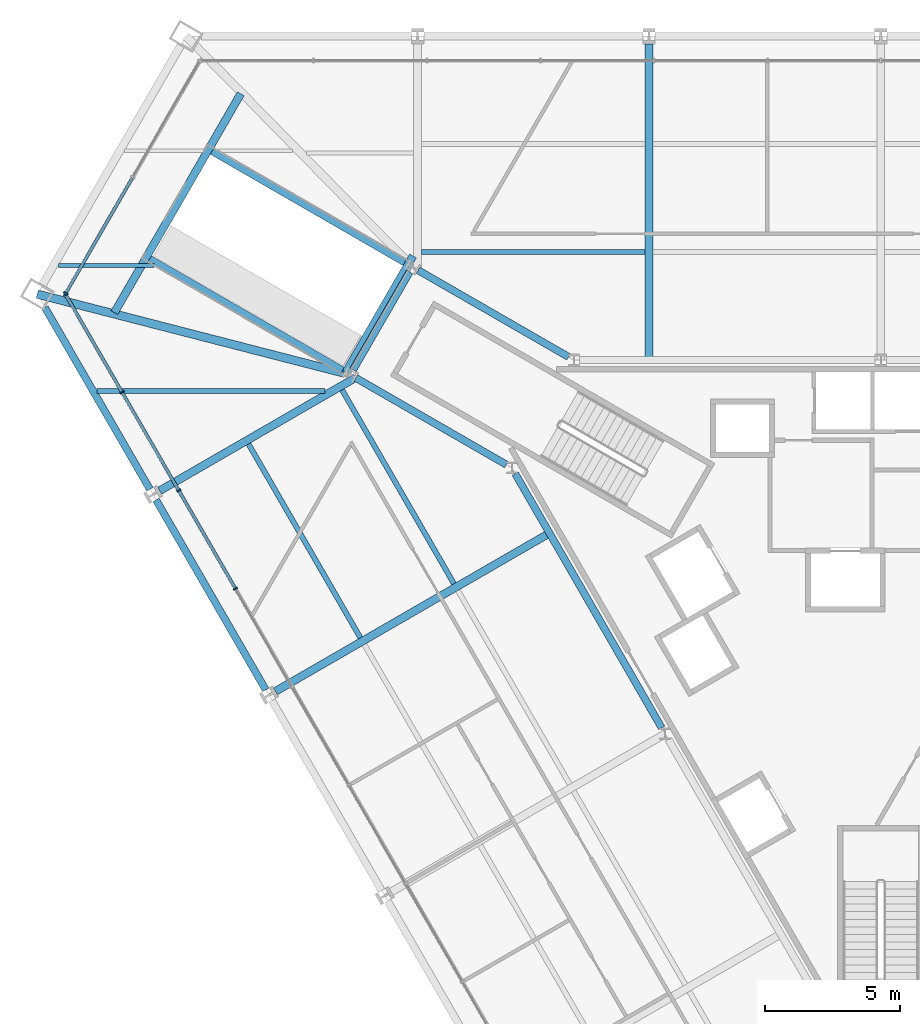
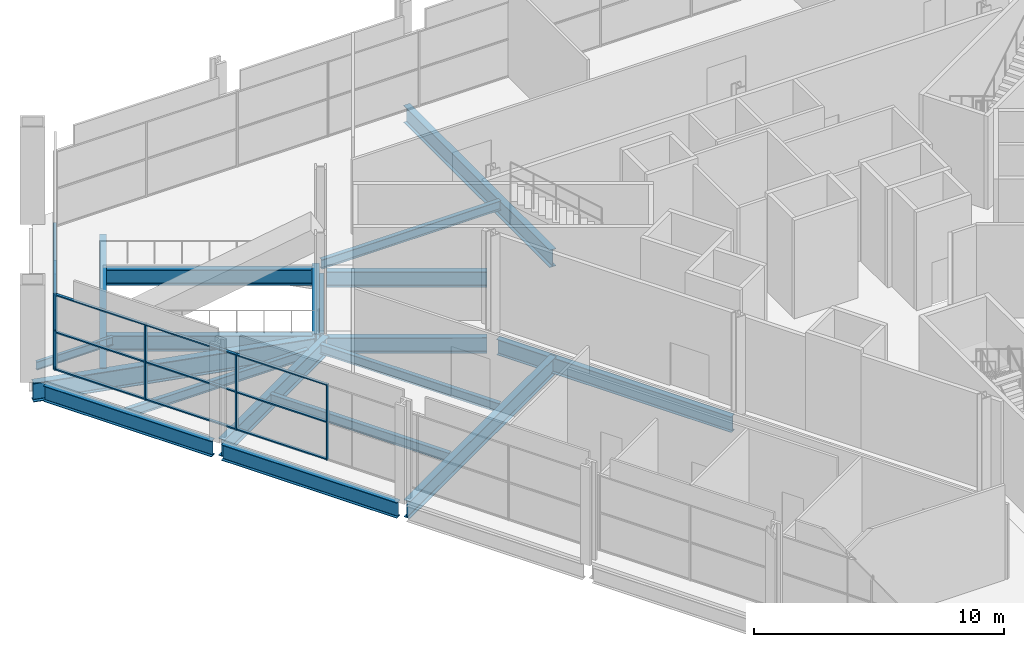
# One storey, part 6 of 18: 19 beams, 17 members, 2 elements without a shape of their own.
"""IFC4 building model written with IfcOpenShell, lengths in metres."""

from ifc_helpers import new_model, si_unit, direction, frame, origin, origin_2d, place, context, subcontext, project, spatial, rectangle, i_section, extrude, material, layer, layer_set, material_profile, profile_set, type_object, element, aggregate, save


model = new_model("IFC4")

# Units and contexts
model_context = context("Model", 3, precision=1e-05, world=origin(), true_north=direction((0.0, 1.0)))
body_context = subcontext(model_context, "Body", "Model", "MODEL_VIEW")
ifc_project = project(units=[si_unit("LENGTHUNIT", "METRE"), si_unit("AREAUNIT", "SQUARE_METRE"), si_unit("VOLUMEUNIT", "CUBIC_METRE"), si_unit("PLANEANGLEUNIT", "RADIAN"), si_unit("MASSUNIT", "GRAM", prefix="KILO")], contexts=[model_context])

# Site, building, storey
site_placement = place(None, origin())
site = spatial("IfcSite", under=ifc_project, at=site_placement, CompositionType="ELEMENT")
building_placement = place(site_placement, origin())
building = spatial("IfcBuilding", under=site, at=building_placement, Name="Verrane Prism Tower", CompositionType="ELEMENT")
storey_placement = place(building_placement, frame((0.0, 0.0, 27.199951171875)))
storey = spatial("IfcBuildingStorey", under=building, at=storey_placement, Name="L04", CompositionType="ELEMENT", Elevation=27.199951171875)

# Curtain wall, member
ifc_material_1 = material(Name="Aluminium and glass curtain wall", Category="aluminium")
ifc_layer = layer(ifc_material_1, 0.199951171875)
ifc_layer_set = layer_set([ifc_layer], Name="CWB-1 retail curtain wall")
curtain_wall_type = type_object("IfcCurtainWallType", Name="CWB-1 retail curtain wall", PredefinedType="NOTDEFINED", material=ifc_layer_set)
curtain_wall_1_placement = place(storey_placement, origin())
curtain_wall_1 = element("IfcCurtainWall", 1, at=curtain_wall_1_placement, inside=storey, type_object=curtain_wall_type, Name="Retail curtain wall L04 3", PredefinedType="NOTDEFINED")
ifc_material_2 = material(Name="Aluminium", Category="aluminium")
ifc_material_profile_1 = material_profile(ifc_material_2, rectangle(XDim=0.159912109375, YDim=0.06005859375, at=origin_2d()), Name="CWB-M 60x160 mullion")
ifc_profile_set_1 = profile_set([ifc_material_profile_1], Name="Aluminium")
member_type_1 = type_object("IfcMemberType", Name="CWB-M 60x160 mullion", PredefinedType="MULLION", material=ifc_profile_set_1)
member_1_placement = place(storey_placement, frame((-30.11328125, 11.669677734375, 0.0), z_axis=(0.0, 0.0, 1.0), x_axis=(0.866025871, -0.499999190758, 0.0)))
member_1 = element("IfcMember", 2, at=member_1_placement, type_object=member_type_1, Name="CWB43 mullion 3", PredefinedType="MULLION", context=body_context, shape_type="SweptSolid", body=[
    extrude(rectangle(XDim=0.159912109375, YDim=0.06005859375, at=origin_2d()), origin(), (0.0, 0.0, 1.0), 3.68994140625),
])

# Curtain wall, members
curtain_wall_2_placement = place(storey_placement, origin())
curtain_wall_2 = element("IfcCurtainWall", 3, at=curtain_wall_2_placement, inside=storey, type_object=curtain_wall_type, Name="Retail curtain wall L04 4", PredefinedType="NOTDEFINED")
member_2_placement = place(storey_placement, frame((-30.11328125, 11.61767578125, 0.0), z_axis=(0.0, 0.0, 1.0), x_axis=(0.866025335097, 0.50000011897, 0.0)))
member_2 = element("IfcMember", 4, at=member_2_placement, type_object=member_type_1, Name="CWB44 mullion 1", PredefinedType="MULLION", context=body_context, shape_type="SweptSolid", body=[
    extrude(rectangle(XDim=0.159912109375, YDim=0.06005859375, at=origin_2d()), origin(), (0.0, 0.0, 1.0), 3.68994140625),
])
member_3_placement = place(storey_placement, frame((-28.03271484375, 8.013916015625, 0.0), z_axis=(0.0, 0.0, 1.0), x_axis=(0.866025335097, 0.50000011897, 0.0)))
member_3 = element("IfcMember", 5, at=member_3_placement, type_object=member_type_1, Name="CWB44 mullion 2", PredefinedType="MULLION", context=body_context, shape_type="SweptSolid", body=[
    extrude(rectangle(XDim=0.159912109375, YDim=0.06005859375, at=origin_2d()), origin(), (0.0, 0.0, 1.0), 3.68994140625),
])
member_4_placement = place(storey_placement, frame((-25.93701171875, 4.384033203125, 0.0), z_axis=(0.0, 0.0, 1.0), x_axis=(0.866025335097, 0.50000011897, 0.0)))
member_4 = element("IfcMember", 6, at=member_4_placement, type_object=member_type_1, Name="CWB44 mullion 3", PredefinedType="MULLION", context=body_context, shape_type="SweptSolid", body=[
    extrude(rectangle(XDim=0.159912109375, YDim=0.06005859375, at=origin_2d()), origin(), (0.0, 0.0, 1.0), 3.68994140625),
])
member_5_placement = place(storey_placement, frame((-23.84130859375, 0.75439453125, 0.0), z_axis=(0.0, 0.0, 1.0), x_axis=(0.866025335097, 0.50000011897, 0.0)))
member_5 = element("IfcMember", 7, at=member_5_placement, type_object=member_type_1, Name="CWB44 mullion 4", PredefinedType="MULLION", context=body_context, shape_type="SweptSolid", body=[
    extrude(rectangle(XDim=0.159912109375, YDim=0.06005859375, at=origin_2d()), origin(), (0.0, 0.0, 1.0), 3.68994140625),
])

# Member
ifc_material_3 = material(Name="Aluminium", Category="aluminium")
ifc_material_profile_2 = material_profile(ifc_material_3, rectangle(XDim=0.1201171875, YDim=0.06005859375, at=origin_2d()), Name="CWB-T 60x120 transom")
ifc_profile_set_2 = profile_set([ifc_material_profile_2], Name="Aluminium")
member_type_2 = type_object("IfcMemberType", Name="CWB-T 60x120 transom", PredefinedType="USERDEFINED", material=ifc_profile_set_2)
member_6_placement = place(storey_placement, frame((-27.653076171875, 15.930908203125, 0.030029296875), z_axis=(-0.500004774777, -0.866022647048, 0.0), x_axis=(0.866022647048, -0.500004774777, 0.0)))
member_6 = element("IfcMember", 8, at=member_6_placement, type_object=member_type_2, Name="CWB43 transom 2.1", ObjectType="TRANSOM", PredefinedType="USERDEFINED", context=body_context, shape_type="SweptSolid", body=[
    extrude(rectangle(XDim=0.1201171875, YDim=0.06005859375, at=origin_2d()), origin(), (0.0, 0.0, 1.0), 4.890625),
])

member_7_placement = place(storey_placement, frame((-27.653076171875, 15.930908203125, 1.844970703125), z_axis=(-0.500004774777, -0.866022647048, 0.0), x_axis=(0.866022647048, -0.500004774777, 0.0)))
member_7 = element("IfcMember", 9, at=member_7_placement, type_object=member_type_2, Name="CWB43 transom 2.2", ObjectType="TRANSOM", PredefinedType="USERDEFINED", context=body_context, shape_type="SweptSolid", body=[
    extrude(rectangle(XDim=0.1201171875, YDim=0.06005859375, at=origin_2d()), origin(), (0.0, 0.0, 1.0), 4.890625),
])

member_8_placement = place(storey_placement, frame((-27.653076171875, 15.930908203125, 3.66015625), z_axis=(-0.500004774777, -0.866022647048, 0.0), x_axis=(0.866022647048, -0.500004774777, 0.0)))
member_8 = element("IfcMember", 10, at=member_8_placement, type_object=member_type_2, Name="CWB43 transom 2.3", ObjectType="TRANSOM", PredefinedType="USERDEFINED", context=body_context, shape_type="SweptSolid", body=[
    extrude(rectangle(XDim=0.1201171875, YDim=0.06005859375, at=origin_2d()), origin(), (0.0, 0.0, 1.0), 4.890625),
])

aggregate(curtain_wall_1, [member_1, member_6, member_7, member_8])

member_9_placement = place(storey_placement, frame((-30.098388671875, 11.591796875, 0.030029296875), z_axis=(0.500005845305, -0.86602202897, 0.0), x_axis=(0.86602202897, 0.500005845305, 0.0)))
member_9 = element("IfcMember", 11, at=member_9_placement, type_object=member_type_2, Name="CWB44 transom 1.1", ObjectType="TRANSOM", PredefinedType="USERDEFINED", context=body_context, shape_type="SweptSolid", body=[
    extrude(rectangle(XDim=0.1201171875, YDim=0.06005859375, at=origin_2d()), origin(), (0.0, 0.0, 1.0), 4.1015625),
])

member_10_placement = place(storey_placement, frame((-30.098388671875, 11.591796875, 1.844970703125), z_axis=(0.500005845305, -0.86602202897, 0.0), x_axis=(0.86602202897, 0.500005845305, 0.0)))
member_10 = element("IfcMember", 12, at=member_10_placement, type_object=member_type_2, Name="CWB44 transom 1.2", ObjectType="TRANSOM", PredefinedType="USERDEFINED", context=body_context, shape_type="SweptSolid", body=[
    extrude(rectangle(XDim=0.1201171875, YDim=0.06005859375, at=origin_2d()), origin(), (0.0, 0.0, 1.0), 4.1015625),
])

member_11_placement = place(storey_placement, frame((-30.098388671875, 11.591796875, 3.66015625), z_axis=(0.500005845305, -0.86602202897, 0.0), x_axis=(0.86602202897, 0.500005845305, 0.0)))
member_11 = element("IfcMember", 13, at=member_11_placement, type_object=member_type_2, Name="CWB44 transom 1.3", ObjectType="TRANSOM", PredefinedType="USERDEFINED", context=body_context, shape_type="SweptSolid", body=[
    extrude(rectangle(XDim=0.1201171875, YDim=0.06005859375, at=origin_2d()), origin(), (0.0, 0.0, 1.0), 4.1015625),
])

member_12_placement = place(storey_placement, frame((-28.017578125, 7.988037109375, 0.030029296875), z_axis=(0.499996977546, -0.866027148792, 0.0), x_axis=(0.866027148792, 0.499996977546, 0.0)))
member_12 = element("IfcMember", 14, at=member_12_placement, type_object=member_type_2, Name="CWB44 transom 2.1", ObjectType="TRANSOM", PredefinedType="USERDEFINED", context=body_context, shape_type="SweptSolid", body=[
    extrude(rectangle(XDim=0.1201171875, YDim=0.06005859375, at=origin_2d()), origin(), (0.0, 0.0, 1.0), 4.13134765625),
])

member_13_placement = place(storey_placement, frame((-28.017578125, 7.988037109375, 1.844970703125), z_axis=(0.499996977546, -0.866027148792, 0.0), x_axis=(0.866027148792, 0.499996977546, 0.0)))
member_13 = element("IfcMember", 15, at=member_13_placement, type_object=member_type_2, Name="CWB44 transom 2.2", ObjectType="TRANSOM", PredefinedType="USERDEFINED", context=body_context, shape_type="SweptSolid", body=[
    extrude(rectangle(XDim=0.1201171875, YDim=0.06005859375, at=origin_2d()), origin(), (0.0, 0.0, 1.0), 4.13134765625),
])

member_14_placement = place(storey_placement, frame((-28.017578125, 7.988037109375, 3.66015625), z_axis=(0.499996977546, -0.866027148792, 0.0), x_axis=(0.866027148792, 0.499996977546, 0.0)))
member_14 = element("IfcMember", 16, at=member_14_placement, type_object=member_type_2, Name="CWB44 transom 2.3", ObjectType="TRANSOM", PredefinedType="USERDEFINED", context=body_context, shape_type="SweptSolid", body=[
    extrude(rectangle(XDim=0.1201171875, YDim=0.06005859375, at=origin_2d()), origin(), (0.0, 0.0, 1.0), 4.13134765625),
])

member_15_placement = place(storey_placement, frame((-25.921875, 4.358154296875, 0.030029296875), z_axis=(0.499996977546, -0.866027148792, 0.0), x_axis=(0.866027148792, 0.499996977546, 0.0)))
member_15 = element("IfcMember", 17, at=member_15_placement, type_object=member_type_2, Name="CWB44 transom 3.1", ObjectType="TRANSOM", PredefinedType="USERDEFINED", context=body_context, shape_type="SweptSolid", body=[
    extrude(rectangle(XDim=0.1201171875, YDim=0.06005859375, at=origin_2d()), origin(), (0.0, 0.0, 1.0), 4.13134765625),
])

member_16_placement = place(storey_placement, frame((-25.921875, 4.358154296875, 1.844970703125), z_axis=(0.499996977546, -0.866027148792, 0.0), x_axis=(0.866027148792, 0.499996977546, 0.0)))
member_16 = element("IfcMember", 18, at=member_16_placement, type_object=member_type_2, Name="CWB44 transom 3.2", ObjectType="TRANSOM", PredefinedType="USERDEFINED", context=body_context, shape_type="SweptSolid", body=[
    extrude(rectangle(XDim=0.1201171875, YDim=0.06005859375, at=origin_2d()), origin(), (0.0, 0.0, 1.0), 4.13134765625),
])

member_17_placement = place(storey_placement, frame((-25.921875, 4.358154296875, 3.66015625), z_axis=(0.499996977546, -0.866027148792, 0.0), x_axis=(0.866027148792, 0.499996977546, 0.0)))
member_17 = element("IfcMember", 19, at=member_17_placement, type_object=member_type_2, Name="CWB44 transom 3.3", ObjectType="TRANSOM", PredefinedType="USERDEFINED", context=body_context, shape_type="SweptSolid", body=[
    extrude(rectangle(XDim=0.1201171875, YDim=0.06005859375, at=origin_2d()), origin(), (0.0, 0.0, 1.0), 4.13134765625),
])

aggregate(curtain_wall_2, [member_2, member_3, member_4, member_5, member_9, member_10, member_11, member_12, member_13, member_14, member_15, member_16, member_17])

# Beams
ifc_material_4 = material(Name="Steel A992", Category="steel")
ifc_material_profile_3 = material_profile(ifc_material_4, i_section(OverallWidth=0.2666015625, OverallDepth=0.76708984375, WebThickness=0.014892578125, FlangeThickness=0.023681640625, FilletRadius=0.0166015625, at=origin_2d()), Name="W30x124")
ifc_profile_set_3 = profile_set([ifc_material_profile_3], Name="Steel A992")
beam_type_1 = type_object("IfcBeamType", Name="Core ring girder W30x124", PredefinedType="BEAM", material=ifc_profile_set_3)
beam_1_placement = place(storey_placement, frame((-11.53564453125, 9.318603515625, -0.633544921875), z_axis=(-0.866455356291, 0.499254559873, 0.0), x_axis=(-0.499254559873, -0.866455356291, 0.0)))
element("IfcBeam", 20, at=beam_1_placement, inside=storey, type_object=beam_type_1, Name="Core ring girder L04", PredefinedType="BEAM", context=body_context, shape_type="SweptSolid", body=[
    extrude(i_section(OverallWidth=0.2666015625, OverallDepth=0.76708984375, WebThickness=0.014892578125, FlangeThickness=0.023681640625, FilletRadius=0.0166015625, at=origin_2d()), origin(), (0.0, 0.0, 1.0), 6.415283203125),
])
beam_2_placement = place(storey_placement, frame((-17.406005859375, 12.456298828125, -0.633544921875), z_axis=(-0.500367275473, -0.865813253326, 0.0), x_axis=(0.865813253326, -0.500367275473, 0.0)))
element("IfcBeam", 21, at=beam_2_placement, inside=storey, type_object=beam_type_1, Name="Core ring girder L04", PredefinedType="BEAM", context=body_context, shape_type="SweptSolid", body=[
    extrude(i_section(OverallWidth=0.2666015625, OverallDepth=0.76708984375, WebThickness=0.014892578125, FlangeThickness=0.023681640625, FilletRadius=0.0166015625, at=origin_2d()), origin(), (0.0, 0.0, 1.0), 4.172607421875),
])
beam_3_placement = place(storey_placement, frame((-19.394287109375, 8.54150390625, -0.633544921875), z_axis=(0.866455356291, -0.499254559873, 0.0), x_axis=(0.499254559873, 0.866455356291, 0.0)))
element("IfcBeam", 22, at=beam_3_placement, inside=storey, type_object=beam_type_1, Name="Core ring girder L04", PredefinedType="BEAM", context=body_context, shape_type="SweptSolid", body=[
    extrude(i_section(OverallWidth=0.2666015625, OverallDepth=0.76708984375, WebThickness=0.014892578125, FlangeThickness=0.023681640625, FilletRadius=0.0166015625, at=origin_2d()), origin(), (0.0, 0.0, 1.0), 6.415283203125),
])
beam_4_placement = place(storey_placement, frame((-13.5048828125, 5.002685546875, -0.633544921875), z_axis=(0.499373178085, -0.866386997253, 0.0), x_axis=(0.866386997253, 0.499373178085, 0.0)))
element("IfcBeam", 23, at=beam_4_placement, inside=storey, type_object=beam_type_1, Name="Core ring girder L04", PredefinedType="BEAM", context=body_context, shape_type="SweptSolid", body=[
    extrude(i_section(OverallWidth=0.2666015625, OverallDepth=0.76708984375, WebThickness=0.014892578125, FlangeThickness=0.023681640625, FilletRadius=0.0166015625, at=origin_2d()), origin(), (0.0, 0.0, 1.0), 10.8330078125),
])
ifc_material_5 = material(Name="Steel A992", Category="steel")
ifc_material_profile_4 = material_profile(ifc_material_5, i_section(OverallWidth=0.307373046875, OverallDepth=0.927001953125, WebThickness=0.01953125, FlangeThickness=0.031982421875, FilletRadius=0.01904296875, at=origin_2d()), Name="W36x194")
ifc_profile_set_4 = profile_set([ifc_material_profile_4], Name="Steel A992")
beam_type_2 = type_object("IfcBeamType", Name="Corner girder W36x194", PredefinedType="BEAM", material=ifc_profile_set_4)
beam_5_placement = place(storey_placement, frame((-31.16455078125, 11.638671875, -0.68359375), z_axis=(0.968392733058, -0.249430380188, 0.0), x_axis=(0.249430380188, 0.968392733058, 0.0)))
element("IfcBeam", 24, at=beam_5_placement, inside=storey, type_object=beam_type_2, Name="Corner girder L04", PredefinedType="BEAM", context=body_context, shape_type="SweptSolid", body=[
    extrude(i_section(OverallWidth=0.307373046875, OverallDepth=0.927001953125, WebThickness=0.01953125, FlangeThickness=0.031982421875, FilletRadius=0.01904296875, at=origin_2d()), origin(), (0.0, 0.0, 1.0), 11.695556640625),
])
ifc_material_6 = material(Name="Steel A992", Category="steel")
ifc_material_profile_5 = material_profile(ifc_material_6, i_section(OverallWidth=0.140380859375, OverallDepth=0.40380859375, WebThickness=0.007080078125, FlangeThickness=0.01123046875, FilletRadius=0.01025390625, at=origin_2d()), Name="W16x31")
ifc_profile_set_5 = profile_set([ifc_material_profile_5], Name="Steel A992")
beam_type_3 = type_object("IfcBeamType", Name="Floor beam W16x31", PredefinedType="BEAM", material=ifc_profile_set_5)
beam_6_placement = place(storey_placement, frame((-30.3896484375, 12.699951171875, -0.36181640625), z_axis=(1.0, 0.0, 0.0), x_axis=(0.0, 1.0, 0.0)))
element("IfcBeam", 25, at=beam_6_placement, inside=storey, type_object=beam_type_3, Name="Floor beam L04", PredefinedType="BEAM", context=body_context, shape_type="SweptSolid", body=[
    extrude(i_section(OverallWidth=0.140380859375, OverallDepth=0.40380859375, WebThickness=0.007080078125, FlangeThickness=0.01123046875, FilletRadius=0.01025390625, at=origin_2d()), origin(), (0.0, 0.0, 1.0), 3.529052734375),
])
ifc_material_7 = material(Name="Steel A992", Category="steel")
ifc_material_profile_6 = material_profile(ifc_material_7, i_section(OverallWidth=0.1904296875, OverallDepth=0.457275390625, WebThickness=0.009033203125, FlangeThickness=0.014404296875, FilletRadius=0.01025390625, at=origin_2d()), Name="W18x50")
ifc_profile_set_6 = profile_set([ifc_material_profile_6], Name="Steel A992")
beam_type_4 = type_object("IfcBeamType", Name="Floor beam W18x50", PredefinedType="BEAM", material=ifc_profile_set_6)
beam_7_placement = place(storey_placement, frame((-16.964111328125, 13.18994140625, -0.388671875), z_axis=(1.0, 0.0, 0.0), x_axis=(0.0, 1.0, 0.0)))
element("IfcBeam", 26, at=beam_7_placement, inside=storey, type_object=beam_type_4, Name="Floor beam L04", PredefinedType="BEAM", context=body_context, shape_type="SweptSolid", body=[
    extrude(i_section(OverallWidth=0.1904296875, OverallDepth=0.457275390625, WebThickness=0.009033203125, FlangeThickness=0.014404296875, FilletRadius=0.01025390625, at=origin_2d()), origin(), (0.0, 0.0, 1.0), 8.258056640625),
])
beam_8_placement = place(storey_placement, frame((-28.950927734375, 8.06494140625, -0.388671875), z_axis=(1.0, 0.0, 0.0), x_axis=(0.0, 1.0, 0.0)))
element("IfcBeam", 27, at=beam_8_placement, inside=storey, type_object=beam_type_4, Name="Floor beam L04", PredefinedType="BEAM", context=body_context, shape_type="SweptSolid", body=[
    extrude(i_section(OverallWidth=0.1904296875, OverallDepth=0.457275390625, WebThickness=0.009033203125, FlangeThickness=0.014404296875, FilletRadius=0.01025390625, at=origin_2d()), origin(), (0.0, 0.0, 1.0), 8.4091796875),
])
beam_9_placement = place(storey_placement, frame((-15.769287109375, 0.93994140625, -0.388671875), z_axis=(-0.500018214608, 0.86601488732, 0.0), x_axis=(-0.86601488732, -0.500018214608, 0.0)))
element("IfcBeam", 28, at=beam_9_placement, inside=storey, type_object=beam_type_4, Name="Floor beam L04", PredefinedType="BEAM", context=body_context, shape_type="SweptSolid", body=[
    extrude(i_section(OverallWidth=0.1904296875, OverallDepth=0.457275390625, WebThickness=0.009033203125, FlangeThickness=0.014404296875, FilletRadius=0.01025390625, at=origin_2d()), origin(), (0.0, 0.0, 1.0), 8.264892578125),
])
beam_10_placement = place(storey_placement, frame((-19.226806640625, -1.05712890625, -0.388671875), z_axis=(-0.500005423512, 0.866022272496, 0.0), x_axis=(-0.866022272496, -0.500005423512, 0.0)))
element("IfcBeam", 29, at=beam_10_placement, inside=storey, type_object=beam_type_4, Name="Floor beam L04", PredefinedType="BEAM", context=body_context, shape_type="SweptSolid", body=[
    extrude(i_section(OverallWidth=0.1904296875, OverallDepth=0.457275390625, WebThickness=0.009033203125, FlangeThickness=0.014404296875, FilletRadius=0.01025390625, at=origin_2d()), origin(), (0.0, 0.0, 1.0), 8.26513671875),
])
ifc_material_8 = material(Name="Steel A992", Category="steel")
ifc_material_profile_7 = material_profile(ifc_material_8, i_section(OverallWidth=0.2919921875, OverallDepth=0.845703125, WebThickness=0.015380859375, FlangeThickness=0.0244140625, FilletRadius=0.017822265625, at=origin_2d()), Name="W33x141")
ifc_profile_set_7 = profile_set([ifc_material_profile_7], Name="Steel A992")
beam_type_5 = type_object("IfcBeamType", Name="Radial girder W33x141", PredefinedType="BEAM", material=ifc_profile_set_7)
beam_11_placement = place(storey_placement, frame((-8.56005859375, 20.885498046875, -0.642822265625), z_axis=(0.0, -1.0, 0.0), x_axis=(1.0, 0.0, 0.0)))
element("IfcBeam", 30, at=beam_11_placement, inside=storey, type_object=beam_type_5, Name="Radial girder L04", PredefinedType="BEAM", context=body_context, shape_type="SweptSolid", body=[
    extrude(i_section(OverallWidth=0.2919921875, OverallDepth=0.845703125, WebThickness=0.015380859375, FlangeThickness=0.0244140625, FilletRadius=0.017822265625, at=origin_2d()), origin(), (0.0, 0.0, 1.0), 11.685546875),
])
beam_12_placement = place(storey_placement, frame((-26.6435546875, 4.372314453125, -0.642822265625), z_axis=(0.866029865125, 0.499992272651, 0.0), x_axis=(-0.499992272651, 0.866029865125, 0.0)))
element("IfcBeam", 31, at=beam_12_placement, inside=storey, type_object=beam_type_5, Name="Radial girder L04", PredefinedType="BEAM", context=body_context, shape_type="SweptSolid", body=[
    extrude(i_section(OverallWidth=0.2919921875, OverallDepth=0.845703125, WebThickness=0.015380859375, FlangeThickness=0.0244140625, FilletRadius=0.017822265625, at=origin_2d()), origin(), (0.0, 0.0, 1.0), 8.354736328125),
])
beam_13_placement = place(storey_placement, frame((-22.363525390625, -3.037841796875, -0.642822265625), z_axis=(0.86602143351, 0.500006876654, 0.0), x_axis=(-0.500006876654, 0.86602143351, 0.0)))
element("IfcBeam", 32, at=beam_13_placement, inside=storey, type_object=beam_type_5, Name="Radial girder L04", PredefinedType="BEAM", context=body_context, shape_type="SweptSolid", body=[
    extrude(i_section(OverallWidth=0.2919921875, OverallDepth=0.845703125, WebThickness=0.015380859375, FlangeThickness=0.0244140625, FilletRadius=0.017822265625, at=origin_2d()), origin(), (0.0, 0.0, 1.0), 11.690185546875),
])
ifc_material_9 = material(Name="Steel A992", Category="steel")
ifc_material_profile_8 = material_profile(ifc_material_9, i_section(OverallWidth=0.2666015625, OverallDepth=0.76708984375, WebThickness=0.014892578125, FlangeThickness=0.023681640625, FilletRadius=0.0166015625, at=origin_2d()), Name="W30x124")
ifc_profile_set_8 = profile_set([ifc_material_profile_8], Name="Steel A992")
beam_type_6 = type_object("IfcBeamType", Name="Slab edge girder W30x124", PredefinedType="BEAM", material=ifc_profile_set_8)
beam_14_placement = place(storey_placement, frame((-17.58203125, 12.806884765625, -0.54345703125), z_axis=(-0.866034923029, 0.499983511822, 0.0), x_axis=(-0.499983511822, -0.866034923029, 0.0)))
element("IfcBeam", 33, at=beam_14_placement, inside=storey, type_object=beam_type_6, Name="Slab edge girder L04", PredefinedType="BEAM", context=body_context, shape_type="SweptSolid", body=[
    extrude(i_section(OverallWidth=0.2666015625, OverallDepth=0.76708984375, WebThickness=0.014892578125, FlangeThickness=0.023681640625, FilletRadius=0.0166015625, at=origin_2d()), origin(), (0.0, 0.0, 1.0), 8.230224609375),
])
beam_15_placement = place(storey_placement, frame((-27.009521484375, 12.93798828125, -0.54345703125), z_axis=(0.86602750728, -0.499996356621, 0.0), x_axis=(0.499996356621, 0.86602750728, 0.0)))
element("IfcBeam", 34, at=beam_15_placement, inside=storey, type_object=beam_type_6, Name="Slab edge girder L04", PredefinedType="BEAM", context=body_context, shape_type="SweptSolid", body=[
    extrude(i_section(OverallWidth=0.2666015625, OverallDepth=0.76708984375, WebThickness=0.014892578125, FlangeThickness=0.023681640625, FilletRadius=0.0166015625, at=origin_2d()), origin(), (0.0, 0.0, 1.0), 8.22998046875),
])
ifc_material_10 = material(Name="Steel A992", Category="steel")
ifc_material_profile_9 = material_profile(ifc_material_10, i_section(OverallWidth=0.2919921875, OverallDepth=0.845703125, WebThickness=0.015380859375, FlangeThickness=0.0244140625, FilletRadius=0.017822265625, at=origin_2d()), Name="W33x141")
ifc_profile_set_9 = profile_set([ifc_material_profile_9], Name="Steel A992")
beam_type_7 = type_object("IfcBeamType", Name="Slab edge girder W33x141", PredefinedType="BEAM", material=ifc_profile_set_9)
beam_16_placement = place(storey_placement, frame((-23.64794921875, 19.04052734375, -0.582763671875), z_axis=(-0.500003119808, -0.866023602555, 0.0), x_axis=(0.866023602555, -0.500003119808, 0.0)))
element("IfcBeam", 35, at=beam_16_placement, inside=storey, type_object=beam_type_7, Name="Slab edge girder L04", PredefinedType="BEAM", context=body_context, shape_type="SweptSolid", body=[
    extrude(i_section(OverallWidth=0.2919921875, OverallDepth=0.845703125, WebThickness=0.015380859375, FlangeThickness=0.0244140625, FilletRadius=0.017822265625, at=origin_2d()), origin(), (0.0, 0.0, 1.0), 9.3369140625),
])
beam_17_placement = place(storey_placement, frame((-19.761962890625, 8.75146484375, -0.582763671875), z_axis=(0.500002137087, 0.866024169933, 0.0), x_axis=(-0.866024169933, 0.500002137087, 0.0)))
element("IfcBeam", 36, at=beam_17_placement, inside=storey, type_object=beam_type_7, Name="Slab edge girder L04", PredefinedType="BEAM", context=body_context, shape_type="SweptSolid", body=[
    extrude(i_section(OverallWidth=0.2919921875, OverallDepth=0.845703125, WebThickness=0.015380859375, FlangeThickness=0.0244140625, FilletRadius=0.017822265625, at=origin_2d()), origin(), (0.0, 0.0, 1.0), 4.9619140625),
])
ifc_material_11 = material(Name="Steel A992", Category="steel")
ifc_material_profile_10 = material_profile(ifc_material_11, i_section(OverallWidth=0.2666015625, OverallDepth=0.76708984375, WebThickness=0.014892578125, FlangeThickness=0.023681640625, FilletRadius=0.0166015625, at=origin_2d()), Name="W30x124")
ifc_profile_set_10 = profile_set([ifc_material_profile_10], Name="Steel A992")
beam_type_8 = type_object("IfcBeamType", Name="Spandrel beam W30x124", PredefinedType="SPANDREL", material=ifc_profile_set_10)
beam_18_placement = place(storey_placement, frame((-30.88134765625, 11.14013671875, -0.54345703125), z_axis=(0.500179482495, -0.865921754716, 0.0), x_axis=(0.865921754716, 0.500179482495, 0.0)))
element("IfcBeam", 37, at=beam_18_placement, inside=storey, type_object=beam_type_8, Name="Spandrel beam L04", PredefinedType="SPANDREL", context=body_context, shape_type="SweptSolid", body=[
    extrude(i_section(OverallWidth=0.2666015625, OverallDepth=0.76708984375, WebThickness=0.014892578125, FlangeThickness=0.023681640625, FilletRadius=0.0166015625, at=origin_2d()), origin(), (0.0, 0.0, 1.0), 7.752685546875),
])
beam_19_placement = place(storey_placement, frame((-26.7763671875, 4.033203125, -0.54345703125), z_axis=(0.500170167531, -0.865927135221, 0.0), x_axis=(0.865927135221, 0.500170167531, 0.0)))
element("IfcBeam", 38, at=beam_19_placement, inside=storey, type_object=beam_type_8, Name="Spandrel beam L04", PredefinedType="SPANDREL", context=body_context, shape_type="SweptSolid", body=[
    extrude(i_section(OverallWidth=0.2666015625, OverallDepth=0.76708984375, WebThickness=0.014892578125, FlangeThickness=0.023681640625, FilletRadius=0.0166015625, at=origin_2d()), origin(), (0.0, 0.0, 1.0), 8.102783203125),
])

save(model, "model.ifc")
